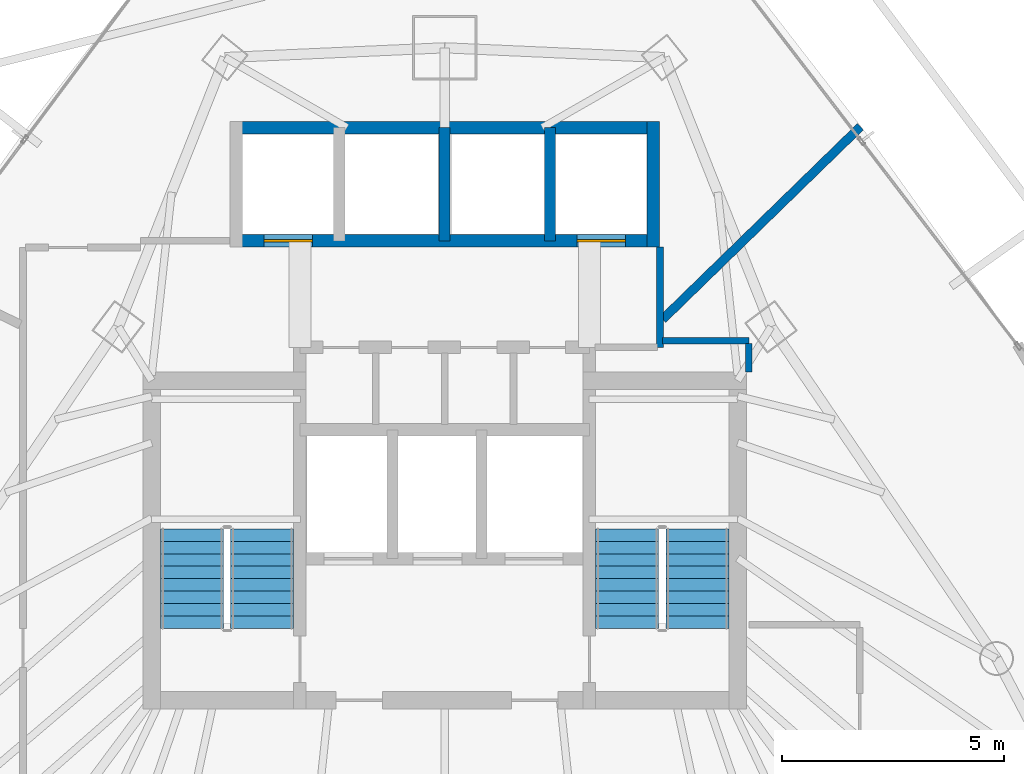
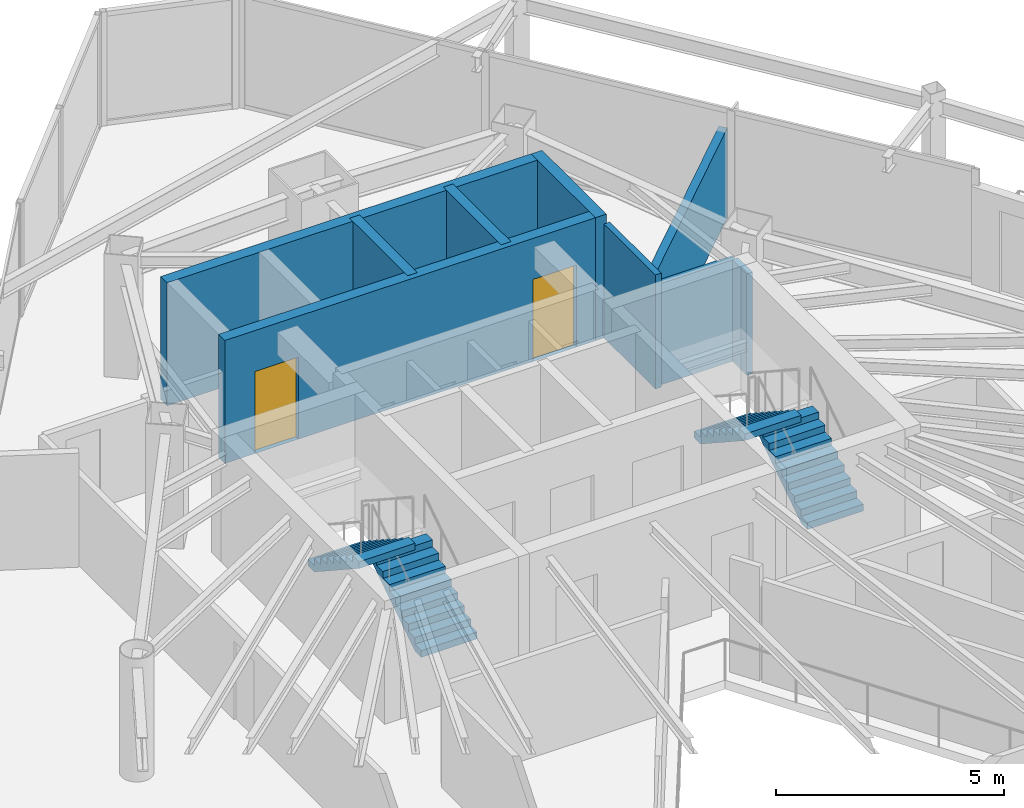
# One storey, part 28 of 31: 9 walls, 4 stair flights, 2 doors, 2 openings, 2 elements without a shape of their own.
"""IFC4 building model written with IfcOpenShell, lengths in metres."""

from ifc_helpers import new_model, si_unit, direction, frame, frame_2d, origin, place, context, subcontext, project, spatial, polyline, rectangle, outline, extrude, material, layer, layer_set, type_object, element, fill, aggregate, save


model = new_model("IFC4")

# Units and contexts
model_context = context("Model", 3, precision=1e-05, world=origin(), true_north=direction((0.0, 1.0)))
body_context = subcontext(model_context, "Body", "Model", "MODEL_VIEW")
ifc_project = project(units=[si_unit("LENGTHUNIT", "METRE"), si_unit("AREAUNIT", "SQUARE_METRE"), si_unit("VOLUMEUNIT", "CUBIC_METRE"), si_unit("PLANEANGLEUNIT", "RADIAN"), si_unit("MASSUNIT", "GRAM", prefix="KILO")], contexts=[model_context])

# Site, building, storey
site_placement = place(None, origin())
site = spatial("IfcSite", under=ifc_project, at=site_placement, CompositionType="ELEMENT")
building_placement = place(site_placement, origin())
building = spatial("IfcBuilding", under=site, at=building_placement, Name="Orvanel Arch Residences", CompositionType="ELEMENT")
storey_placement = place(building_placement, frame((0.0, 0.0, 106.699951171875)))
storey = spatial("IfcBuildingStorey", under=building, at=storey_placement, Name="L29", CompositionType="ELEMENT", Elevation=106.699951171875)

# Walls
ifc_material_1 = material(Name="Concrete N50 (50 MPa)", Category="concrete")
ifc_layer_1 = layer(ifc_material_1, 0.25)
ifc_layer_set_1 = layer_set([ifc_layer_1], Name="Concrete N50 (50 MPa)")
wall_type_1 = type_object("IfcWallType", Name="SW-CORE-250", PredefinedType="SHEAR", material=ifc_layer_set_1)
for number, where, z_axis, x_axis, name in (
    (1, (33.0, 37.050048828125, 0.0), (0.0, 0.0, 1.0), (0.0, 1.0, 0.0), "L29 Passenger Lift Inter-Shaft Wall P56"),
    (2, (35.375, 37.050048828125, 0.0), (0.0, 0.0, 1.0), (0.0, 1.0, 0.0), "L29 Passenger Lift Inter-Shaft Wall P64"),
):
    element("IfcWall", number, at=place(storey_placement, frame(where, z_axis=z_axis, x_axis=x_axis)), inside=storey, type_object=wall_type_1, Name=name, PredefinedType="SHEAR", context=body_context, shape_type="SweptSolid", body=[
        extrude(rectangle(XDim=2.550048828125, YDim=0.25, at=frame_2d((1.27490234375, 0.0))), origin(), (0.0, 0.0, 1.0), 3.300048828125),
    ])

# Wall, openings, doors
ifc_material_2 = material(Name="Concrete S65 (65 MPa)", Category="concrete")
ifc_layer_2 = layer(ifc_material_2, 0.280029296875)
ifc_layer_set_2 = layer_set([ifc_layer_2], Name="Concrete S65 (65 MPa)")
wall_type_2 = type_object("IfcWallType", Name="SW-CORE-280", PredefinedType="SHEAR", material=ifc_layer_set_2)
wall_1_placement = place(storey_placement, frame((37.840087890625, 37.050048828125, 0.0), z_axis=(0.0, 0.0, 1.0), x_axis=(-1.0, 0.0, 0.0)))
wall_1 = element("IfcWall", 3, at=wall_1_placement, inside=storey, type_object=wall_type_2, Name="L29 Passenger Lift Bank Front Shear Wall", PredefinedType="SHEAR", context=body_context, shape_type="SweptSolid", body=[
    extrude(rectangle(XDim=9.68017578125, YDim=0.280029296875, at=frame_2d((4.840087890625, 0.0))), origin(), (0.0, 0.0, 1.0), 3.300048828125),
])
opening_1_placement = place(wall_1_placement, frame((7.81494140625, 0.0, 0.0)))
opening_1 = element("IfcOpeningElement", 4, at=opening_1_placement, cuts=wall_1, Name="Opening LD-110", PredefinedType="OPENING", context=body_context, shape_type="SweptSolid", body=[
    extrude(rectangle(XDim=1.10009765625, YDim=2.199951171875, at=frame_2d((0.550048828125, 1.10009765625))), frame((0.0, 0.14990234375, 0.0), z_axis=(0.0, -1.0, 0.0), x_axis=(1.0, 0.0, 0.0)), (0.0, 0.0, 1.0), 0.300048828125),
])
opening_2_placement = place(wall_1_placement, frame((0.764892578125, 0.0, 0.0)))
opening_2 = element("IfcOpeningElement", 5, at=opening_2_placement, cuts=wall_1, Name="Opening LD-110", PredefinedType="OPENING", context=body_context, shape_type="SweptSolid", body=[
    extrude(rectangle(XDim=1.10009765625, YDim=2.199951171875, at=frame_2d((0.550048828125, 1.10009765625))), frame((0.0, 0.14990234375, 0.0), z_axis=(0.0, -1.0, 0.0), x_axis=(1.0, 0.0, 0.0)), (0.0, 0.0, 1.0), 0.300048828125),
])
ifc_material_3 = material(Name="Galvanised steel fire-resisting door assembly", Category="steel")
door_type = type_object("IfcDoorType", Name="DR-LFT-1100", OperationType="NOTDEFINED", PredefinedType="DOOR", material=ifc_material_3)
door_1_placement = place(opening_1_placement, origin())
door_1 = element("IfcDoor", 6, at=door_1_placement, inside=storey, type_object=door_type, Name="LD-P3-L29 L29 Passenger Lift P3 Sliding Landing Door", OperationType="DOUBLE_DOOR_SLIDING", OverallHeight=2.199951171875, OverallWidth=1.10009765625, PredefinedType="DOOR", context=body_context, shape_type="SweptSolid", body=[
    extrude(rectangle(XDim=1.10009765625, YDim=2.199951171875, at=frame_2d((0.550048828125, 1.10009765625))), frame((0.0, 0.02490234375, 0.0), z_axis=(0.0, -1.0, 0.0), x_axis=(1.0, 0.0, 0.0)), (0.0, 0.0, 1.0), 0.050048828125),
])
fill(opening_1, door_1)
door_2_placement = place(opening_2_placement, origin())
door_2 = element("IfcDoor", 7, at=door_2_placement, inside=storey, type_object=door_type, Name="LD-P4-L29 L29 Passenger Lift P4 Sliding Landing Door", OperationType="DOUBLE_DOOR_SLIDING", OverallHeight=2.199951171875, OverallWidth=1.10009765625, PredefinedType="DOOR", context=body_context, shape_type="SweptSolid", body=[
    extrude(rectangle(XDim=1.10009765625, YDim=2.199951171875, at=frame_2d((0.550048828125, 1.10009765625))), frame((0.0, 0.02490234375, 0.0), z_axis=(0.0, -1.0, 0.0), x_axis=(1.0, 0.0, 0.0)), (0.0, 0.0, 1.0), 0.050048828125),
])
fill(opening_2, door_2)

# Walls
wall_2_placement = place(storey_placement, frame((28.159912109375, 39.60009765625, 0.0), z_axis=(0.0, 0.0, 1.0), x_axis=(1.0, 0.0, 0.0)))
element("IfcWall", 8, at=wall_2_placement, inside=storey, type_object=wall_type_2, Name="L29 Passenger Lift Bank North Shear Wall", PredefinedType="SHEAR", context=body_context, shape_type="SweptSolid", body=[
    extrude(rectangle(XDim=9.68017578125, YDim=0.280029296875, at=frame_2d((4.840087890625, 0.0))), origin(), (0.0, 0.0, 1.0), 3.300048828125),
])
wall_3_placement = place(storey_placement, frame((37.699951171875, 36.909912109375, 0.0), z_axis=(0.0, 0.0, 1.0), x_axis=(0.0, 1.0, 0.0)))
element("IfcWall", 9, at=wall_3_placement, inside=storey, type_object=wall_type_2, Name="L29 Passenger Lift Bank East Shear Wall", PredefinedType="SHEAR", context=body_context, shape_type="SweptSolid", body=[
    extrude(rectangle(XDim=2.830078125, YDim=0.280029296875, at=frame_2d((1.4150390625, 0.0))), origin(), (0.0, 0.0, 1.0), 3.300048828125),
])
ifc_material_4 = material(Name="Fire-rated plasterboard lined steel stud partition", Category="steel")
ifc_layer_3 = layer(ifc_material_4, 0.14990234375)
ifc_layer_set_3 = layer_set([ifc_layer_3], Name="Fire-rated plasterboard lined steel stud partition")
wall_type_3 = type_object("IfcWallType", Name="W-COR-150", PredefinedType="PARTITIONING", material=ifc_layer_set_3)
wall_4_placement = place(storey_placement, frame((37.85009765625, 34.64990234375, 0.0), z_axis=(0.0, 0.0, 1.0), x_axis=(0.0, 1.0, 0.0)))
element("IfcWall", 10, at=wall_4_placement, inside=storey, type_object=wall_type_3, Name="L29 Passenger Lift Lobby East Closure Wall", PredefinedType="PARTITIONING", context=body_context, shape_type="SweptSolid", body=[
    extrude(rectangle(XDim=2.260009765625, YDim=0.14990234375, at=frame_2d((1.1298828125, 0.0))), origin(), (0.0, 0.0, 1.0), 3.06005859375),
])
wall_5_placement = place(storey_placement, frame((37.909912109375, 34.800048828125, 0.0), z_axis=(0.0, 0.0, 1.0), x_axis=(1.0, 0.0, 0.0)))
element("IfcWall", 11, at=wall_5_placement, inside=storey, type_object=wall_type_3, Name="L29 Core Perimeter Partition", PredefinedType="PARTITIONING", context=body_context, shape_type="SweptSolid", body=[
    extrude(rectangle(XDim=1.940185546875, YDim=0.14990234375, at=frame_2d((0.97021484375, 0.0))), origin(), (0.0, 0.0, 1.0), 2.720947265625),
])
wall_6_placement = place(storey_placement, frame((39.85009765625, 34.739990234375, 0.0), z_axis=(0.0, 0.0, 1.0), x_axis=(0.0, -1.0, 0.0)))
element("IfcWall", 12, at=wall_6_placement, inside=storey, type_object=wall_type_3, Name="L29 Core Perimeter Partition", PredefinedType="PARTITIONING", context=body_context, shape_type="SweptSolid", body=[
    extrude(rectangle(XDim=0.639892578125, YDim=0.14990234375, at=frame_2d((0.31982421875, 0.0))), origin(), (0.0, 0.0, 1.0), 2.720947265625),
])
ifc_layer_4 = layer(ifc_material_4, 0.199951171875)
ifc_layer_set_4 = layer_set([ifc_layer_4], Name="Fire-rated plasterboard lined steel stud partition")
wall_type_4 = type_object("IfcWallType", Name="W-DEM-200", PredefinedType="PARTITIONING", material=ifc_layer_set_4)
wall_7_placement = place(storey_placement, frame((37.909912109375, 35.281982421875, 0.0), z_axis=(0.0, 0.0, 1.0), x_axis=(0.716392659664, 0.697697324905, 0.0)))
element("IfcWall", 13, at=wall_7_placement, inside=storey, type_object=wall_type_4, Name="L29 Inter-Tenancy Acoustic Demising Wall", PredefinedType="PARTITIONING", context=body_context, shape_type="SweptSolid", body=[
    extrude(rectangle(XDim=6.216064453125, YDim=0.199951171875, at=frame_2d((3.10791015625, 0.0))), origin(), (0.0, 0.0, 1.0), 2.4130859375),
])

# Stair, stair flights
ifc_material_5 = material(Name="Precast concrete N50 (50 MPa)", Category="concrete")
stair_type = type_object("IfcStairType", Name="STR-DOG-184", PredefinedType="USERDEFINED", material=ifc_material_5)
stair_1_placement = place(storey_placement, origin())
stair_1 = element("IfcStair", 14, at=stair_1_placement, inside=storey, type_object=stair_type, Name="L29 Fire-Isolated Core Exit Stair 1", ObjectType="TWO_RETURN_STAIR", PredefinedType="USERDEFINED")
stair_flight_type_1 = type_object("IfcStairFlightType", Name="SFL-C1-184", PredefinedType="STRAIGHT", material=ifc_material_5)
stair_flight_1_placement = place(storey_placement, frame((28.889892578125, 28.320068359375, 0.0), z_axis=(0.0, 0.0, 1.0), x_axis=(0.0, 1.0, 0.0)))
stair_flight_1 = element("IfcStairFlight", 15, at=stair_flight_1_placement, type_object=stair_flight_type_1, Name="ST-1 flight 1", NumberOfRisers=9, NumberOfTreads=8, PredefinedType="STRAIGHT", RiserHeight=0.183333333, TreadLength=0.28, context=body_context, shape_type="SweptSolid", body=[
    extrude(outline(polyline([(0.0, 0.0), (0.0, 0.183349609375), (0.280029296875, 0.183349609375), (0.280029296875, 0.36669921875), (0.56005859375, 0.36669921875), (0.56005859375, 0.550048828125), (0.840087890625, 0.550048828125), (0.840087890625, 0.7333984375), (1.1201171875, 0.7333984375), (1.1201171875, 0.916748046875), (1.39990234375, 0.916748046875), (1.39990234375, 1.10009765625), (1.679931640625, 1.10009765625), (1.679931640625, 1.283447265625), (1.9599609375, 1.283447265625), (1.9599609375, 1.466552734375), (2.239990234375, 1.466552734375), (2.239990234375, 1.64990234375), (2.239990234375, 1.28759765625), (0.273681640625, 0.0), (0.0, 0.0)])), frame((0.0, 0.7099609375, 0.0), z_axis=(0.0, -1.0, 0.0), x_axis=(1.0, 0.0, 0.0)), (0.0, 0.0, 1.0), 1.419921875),
])
stair_flight_2_placement = place(storey_placement, frame((27.31005859375, 30.56005859375, 1.650146484375), z_axis=(0.0, 0.0, 1.0), x_axis=(0.0, -1.0, 0.0)))
stair_flight_2 = element("IfcStairFlight", 16, at=stair_flight_2_placement, type_object=stair_flight_type_1, Name="ST-1 flight 2", NumberOfRisers=9, NumberOfTreads=8, PredefinedType="STRAIGHT", RiserHeight=0.183333333, TreadLength=0.28, context=body_context, shape_type="SweptSolid", body=[
    extrude(outline(polyline([(0.0, 0.0), (0.0, 0.183349609375), (0.280029296875, 0.183349609375), (0.280029296875, 0.36669921875), (0.56005859375, 0.36669921875), (0.56005859375, 0.550048828125), (0.840087890625, 0.550048828125), (0.840087890625, 0.7333984375), (1.1201171875, 0.7333984375), (1.1201171875, 0.916748046875), (1.39990234375, 0.916748046875), (1.39990234375, 1.10009765625), (1.679931640625, 1.10009765625), (1.679931640625, 1.283447265625), (1.9599609375, 1.283447265625), (1.9599609375, 1.466552734375), (2.239990234375, 1.466552734375), (2.239990234375, 1.64990234375), (2.239990234375, 1.28759765625), (0.273681640625, 0.0), (0.0, 0.0)])), frame((0.0, 0.7099609375, 0.0), z_axis=(0.0, -1.0, 0.0), x_axis=(1.0, 0.0, 0.0)), (0.0, 0.0, 1.0), 1.419921875),
])
aggregate(stair_1, [stair_flight_1, stair_flight_2])

stair_2_placement = place(storey_placement, origin())
stair_2 = element("IfcStair", 17, at=stair_2_placement, inside=storey, type_object=stair_type, Name="L29 Fire-Isolated Core Exit Stair 2", ObjectType="TWO_RETURN_STAIR", PredefinedType="USERDEFINED")
stair_flight_type_2 = type_object("IfcStairFlightType", Name="SFL-C2-184", PredefinedType="STRAIGHT", material=ifc_material_5)
stair_flight_3_placement = place(storey_placement, frame((38.68994140625, 28.320068359375, 0.0), z_axis=(0.0, 0.0, 1.0), x_axis=(0.0, 1.0, 0.0)))
stair_flight_3 = element("IfcStairFlight", 18, at=stair_flight_3_placement, type_object=stair_flight_type_2, Name="ST-2 flight 1", NumberOfRisers=9, NumberOfTreads=8, PredefinedType="STRAIGHT", RiserHeight=0.183333333, TreadLength=0.28, context=body_context, shape_type="SweptSolid", body=[
    extrude(outline(polyline([(0.0, 0.0), (0.0, 0.183349609375), (0.280029296875, 0.183349609375), (0.280029296875, 0.36669921875), (0.56005859375, 0.36669921875), (0.56005859375, 0.550048828125), (0.840087890625, 0.550048828125), (0.840087890625, 0.7333984375), (1.1201171875, 0.7333984375), (1.1201171875, 0.916748046875), (1.39990234375, 0.916748046875), (1.39990234375, 1.10009765625), (1.679931640625, 1.10009765625), (1.679931640625, 1.283447265625), (1.9599609375, 1.283447265625), (1.9599609375, 1.466552734375), (2.239990234375, 1.466552734375), (2.239990234375, 1.64990234375), (2.239990234375, 1.28759765625), (0.273681640625, 0.0), (0.0, 0.0)])), frame((0.0, 0.7099609375, 0.0), z_axis=(0.0, -1.0, 0.0), x_axis=(1.0, 0.0, 0.0)), (0.0, 0.0, 1.0), 1.419921875),
])
stair_flight_4_placement = place(storey_placement, frame((37.110107421875, 30.56005859375, 1.650146484375), z_axis=(0.0, 0.0, 1.0), x_axis=(0.0, -1.0, 0.0)))
stair_flight_4 = element("IfcStairFlight", 19, at=stair_flight_4_placement, type_object=stair_flight_type_2, Name="ST-2 flight 2", NumberOfRisers=9, NumberOfTreads=8, PredefinedType="STRAIGHT", RiserHeight=0.183333333, TreadLength=0.28, context=body_context, shape_type="SweptSolid", body=[
    extrude(outline(polyline([(0.0, 0.0), (0.0, 0.183349609375), (0.280029296875, 0.183349609375), (0.280029296875, 0.36669921875), (0.56005859375, 0.36669921875), (0.56005859375, 0.550048828125), (0.840087890625, 0.550048828125), (0.840087890625, 0.7333984375), (1.1201171875, 0.7333984375), (1.1201171875, 0.916748046875), (1.39990234375, 0.916748046875), (1.39990234375, 1.10009765625), (1.679931640625, 1.10009765625), (1.679931640625, 1.283447265625), (1.9599609375, 1.283447265625), (1.9599609375, 1.466552734375), (2.239990234375, 1.466552734375), (2.239990234375, 1.64990234375), (2.239990234375, 1.28759765625), (0.273681640625, 0.0), (0.0, 0.0)])), frame((0.0, 0.7099609375, 0.0), z_axis=(0.0, -1.0, 0.0), x_axis=(1.0, 0.0, 0.0)), (0.0, 0.0, 1.0), 1.419921875),
])
aggregate(stair_2, [stair_flight_3, stair_flight_4])

save(model, "model.ifc")
